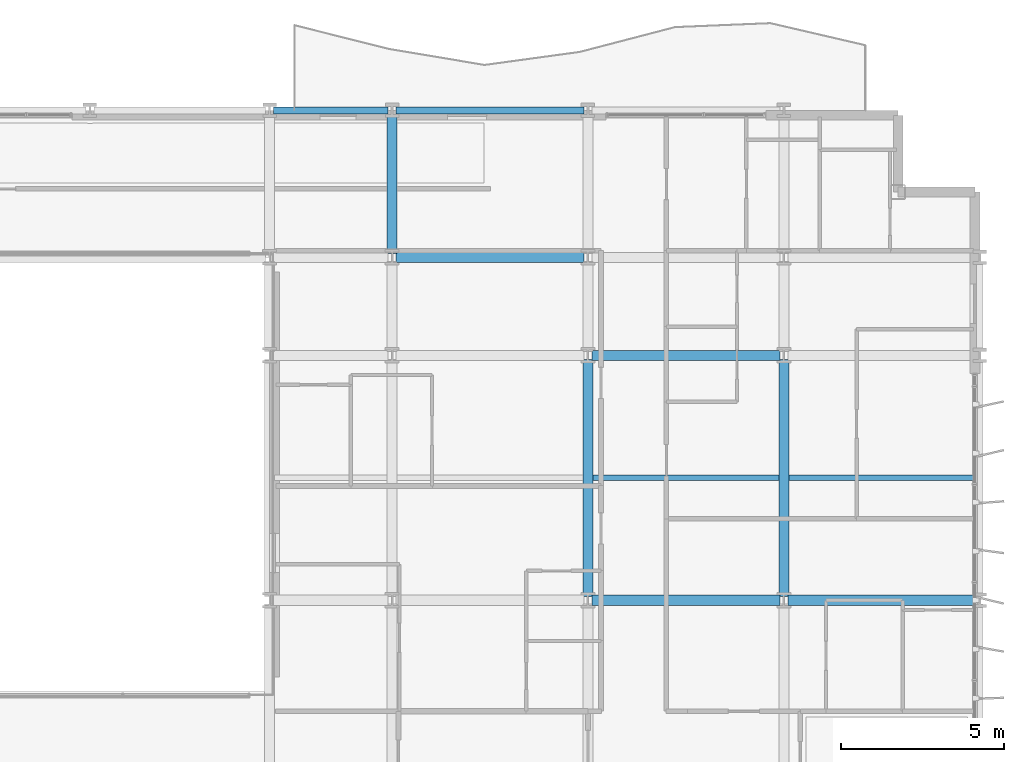
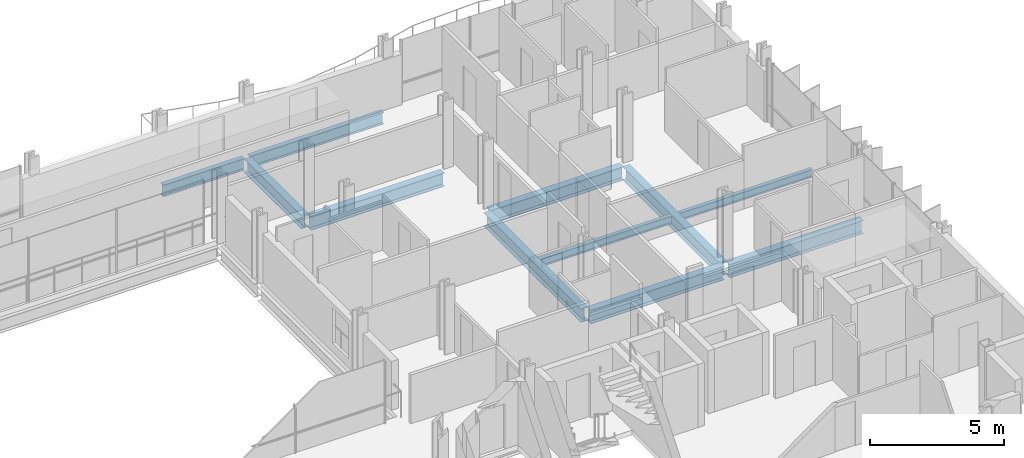
# One storey, part 18 of 38: 11 beams.
"""IFC4 building model written with IfcOpenShell, lengths in metres."""

from ifc_helpers import new_model, si_unit, direction, frame, origin, origin_2d, place, context, subcontext, project, spatial, i_section, extrude, material, material_profile, profile_set, type_object, element, save


model = new_model("IFC4")

# Units and contexts
model_context = context("Model", 3, precision=1e-05, world=origin(), true_north=direction((0.0, 1.0)))
body_context = subcontext(model_context, "Body", "Model", "MODEL_VIEW")
ifc_project = project(units=[si_unit("LENGTHUNIT", "METRE"), si_unit("AREAUNIT", "SQUARE_METRE"), si_unit("VOLUMEUNIT", "CUBIC_METRE"), si_unit("PLANEANGLEUNIT", "RADIAN"), si_unit("MASSUNIT", "GRAM", prefix="KILO")], contexts=[model_context])

# Site, building, storey
site_placement = place(None, origin())
site = spatial("IfcSite", under=ifc_project, at=site_placement, CompositionType="ELEMENT")
building_placement = place(site_placement, origin())
building = spatial("IfcBuilding", under=site, at=building_placement, Name="Brevholm Reach", CompositionType="ELEMENT")
storey_placement = place(building_placement, frame((0.0, 0.0, 52.800048828125)))
storey = spatial("IfcBuildingStorey", under=building, at=storey_placement, Name="L14", CompositionType="ELEMENT", Elevation=52.800048828125)

# Beams
ifc_material_1 = material(Name="Structural Steel S355J2", Category="steel")
ifc_material_profile_1 = material_profile(ifc_material_1, i_section(OverallWidth=0.17138671875, OverallDepth=0.35498046875, WebThickness=0.00732421875, FlangeThickness=0.011474609375, FilletRadius=0.01025390625, at=origin_2d()), Name="UKB 356x171x51")
ifc_profile_set_1 = profile_set([ifc_material_profile_1], Name="Structural Steel S355J2")
beam_type_1 = type_object("IfcBeamType", Name="BM-B356", PredefinedType="BEAM", material=ifc_profile_set_1)
beam_1_placement = place(storey_placement, frame((48.153564453125, 19.75, -0.407470703125), z_axis=(1.0, 0.0, 0.0), x_axis=(0.0, 1.0, 0.0)))
element("IfcBeam", 1, at=beam_1_placement, inside=storey, type_object=beam_type_1, Name="L14 Composite Secondary Floor Beam", PredefinedType="BEAM", context=body_context, shape_type="SweptSolid", body=[
    extrude(i_section(OverallWidth=0.17138671875, OverallDepth=0.35498046875, WebThickness=0.00732421875, FlangeThickness=0.011474609375, FilletRadius=0.01025390625, at=origin_2d()), origin(), (0.0, 0.0, 1.0), 5.69287109375),
])
beam_2_placement = place(storey_placement, frame((54.153564453125, 19.75, -0.407470703125), z_axis=(1.0, 0.0, 0.0), x_axis=(0.0, 1.0, 0.0)))
element("IfcBeam", 2, at=beam_2_placement, inside=storey, type_object=beam_type_1, Name="L14 Composite Secondary Floor Beam", PredefinedType="BEAM", context=body_context, shape_type="SweptSolid", body=[
    extrude(i_section(OverallWidth=0.17138671875, OverallDepth=0.35498046875, WebThickness=0.00732421875, FlangeThickness=0.011474609375, FilletRadius=0.01025390625, at=origin_2d()), origin(), (0.0, 0.0, 1.0), 5.740966796875),
])
ifc_material_2 = material(Name="Structural Steel S355J2", Category="steel")
ifc_material_profile_2 = material_profile(ifc_material_2, i_section(OverallWidth=0.210693359375, OverallDepth=0.53955078125, WebThickness=0.01171875, FlangeThickness=0.018798828125, FilletRadius=0.0126953125, at=origin_2d()), Name="UKB 533x210x109")
ifc_profile_set_2 = profile_set([ifc_material_profile_2], Name="Structural Steel S355J2")
beam_type_2 = type_object("IfcBeamType", Name="BM-SP539", PredefinedType="SPANDREL", material=ifc_profile_set_2)
beam_3_placement = place(storey_placement, frame((38.3701171875, 31.0, -0.499755859375), z_axis=(1.0, 0.0, 0.0), x_axis=(0.0, 1.0, 0.0)))
element("IfcBeam", 3, at=beam_3_placement, inside=storey, type_object=beam_type_2, Name="L14 SP-01B Framing Beam", PredefinedType="SPANDREL", context=body_context, shape_type="SweptSolid", body=[
    extrude(i_section(OverallWidth=0.210693359375, OverallDepth=0.53955078125, WebThickness=0.01171875, FlangeThickness=0.018798828125, FilletRadius=0.0126953125, at=origin_2d()), origin(), (0.0, 0.0, 1.0), 3.509765625),
])
beam_4_placement = place(storey_placement, frame((42.1201171875, 31.0, -0.499755859375), z_axis=(1.0, 0.0, 0.0), x_axis=(0.0, 1.0, 0.0)))
element("IfcBeam", 4, at=beam_4_placement, inside=storey, type_object=beam_type_2, Name="L14 SP-01B Framing Beam", PredefinedType="SPANDREL", context=body_context, shape_type="SweptSolid", body=[
    extrude(i_section(OverallWidth=0.210693359375, OverallDepth=0.53955078125, WebThickness=0.01171875, FlangeThickness=0.018798828125, FilletRadius=0.0126953125, at=origin_2d()), origin(), (0.0, 0.0, 1.0), 5.759765625),
])
ifc_material_3 = material(Name="Structural Steel S355J2", Category="steel")
ifc_material_profile_3 = material_profile(ifc_material_3, i_section(OverallWidth=0.30712890625, OverallDepth=0.6201171875, WebThickness=0.01416015625, FlangeThickness=0.023681640625, FilletRadius=0.0166015625, at=origin_2d()), Name="UKB 610x305x179")
ifc_profile_set_3 = profile_set([ifc_material_profile_3], Name="Structural Steel S355J2")
beam_type_3 = type_object("IfcBeamType", Name="BM-UKB610H", PredefinedType="USERDEFINED", material=ifc_profile_set_3)
for number, where, z_axis, x_axis, name in (
    (5, (48.1201171875, 16.0, -0.5400390625), (1.0, 0.0, 0.0), (0.0, 1.0, 0.0), "L14 G-06 Framing Beam"),
    (6, (54.1201171875, 16.0, -0.5400390625), (1.0, 0.0, 0.0), (0.0, 1.0, 0.0), "L14 G-06 Framing Beam"),
    (7, (48.1201171875, 23.5, -0.5400390625), (1.0, 0.0, 0.0), (0.0, 1.0, 0.0), "L14 G-06 Framing Beam"),
    (8, (42.1201171875, 26.5, -0.5400390625), (1.0, 0.0, 0.0), (0.0, 1.0, 0.0), "L14 G-06 Framing Beam"),
):
    element("IfcBeam", number, at=place(storey_placement, frame(where, z_axis=z_axis, x_axis=x_axis)), inside=storey, type_object=beam_type_3, Name=name, ObjectType="GIRDER", PredefinedType="USERDEFINED", context=body_context, shape_type="SweptSolid", body=[
        extrude(i_section(OverallWidth=0.30712890625, OverallDepth=0.6201171875, WebThickness=0.01416015625, FlangeThickness=0.023681640625, FilletRadius=0.0166015625, at=origin_2d()), origin(), (0.0, 0.0, 1.0), 5.759765625),
    ])
beam_5_placement = place(storey_placement, frame((42.0, 26.6201171875, -0.5400390625), z_axis=(0.0, 1.0, 0.0), x_axis=(-1.0, 0.0, 0.0)))
element("IfcBeam", 9, at=beam_5_placement, inside=storey, type_object=beam_type_3, Name="L14 G-06 Framing Beam", ObjectType="GIRDER", PredefinedType="USERDEFINED", context=body_context, shape_type="SweptSolid", body=[
    extrude(i_section(OverallWidth=0.30712890625, OverallDepth=0.6201171875, WebThickness=0.01416015625, FlangeThickness=0.023681640625, FilletRadius=0.0166015625, at=origin_2d()), origin(), (0.0, 0.0, 1.0), 4.259765625),
])
for number, where, z_axis, x_axis, name in (
    (10, (48.0, 16.1201171875, -0.5400390625), (0.0, 1.0, 0.0), (-1.0, 0.0, 0.0), "L14 G-06 Framing Beam"),
    (11, (54.0, 16.1201171875, -0.5400390625), (0.0, 1.0, 0.0), (-1.0, 0.0, 0.0), "L14 G-06 Framing Beam"),
):
    element("IfcBeam", number, at=place(storey_placement, frame(where, z_axis=z_axis, x_axis=x_axis)), inside=storey, type_object=beam_type_3, Name=name, ObjectType="GIRDER", PredefinedType="USERDEFINED", context=body_context, shape_type="SweptSolid", body=[
        extrude(i_section(OverallWidth=0.30712890625, OverallDepth=0.6201171875, WebThickness=0.01416015625, FlangeThickness=0.023681640625, FilletRadius=0.0166015625, at=origin_2d()), origin(), (0.0, 0.0, 1.0), 7.259765625),
    ])

save(model, "model.ifc")
